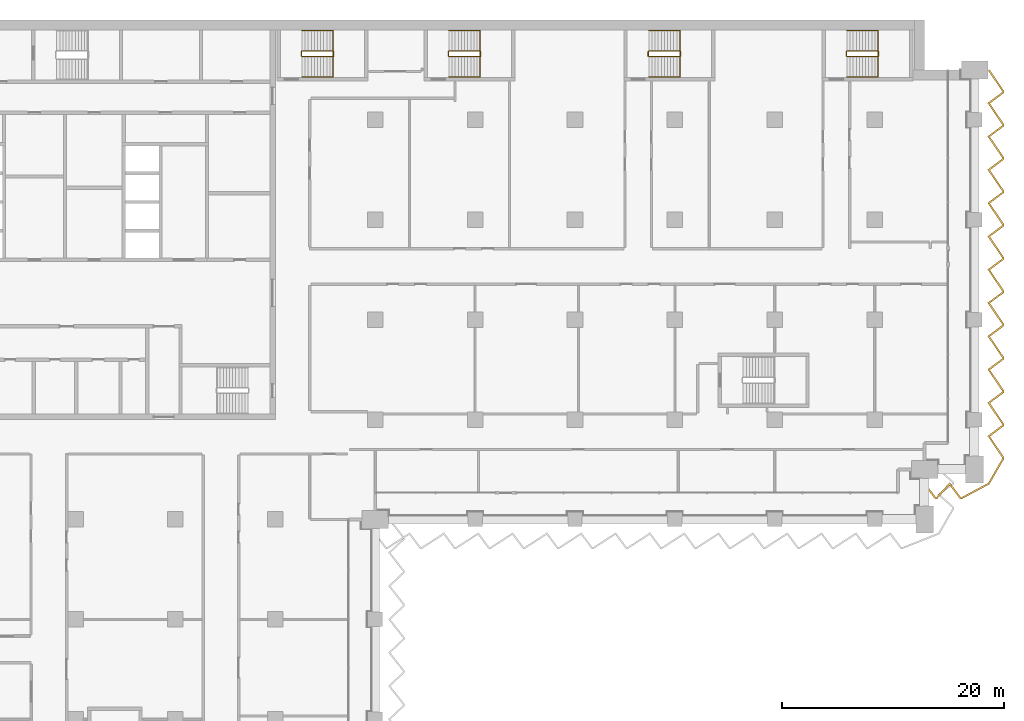
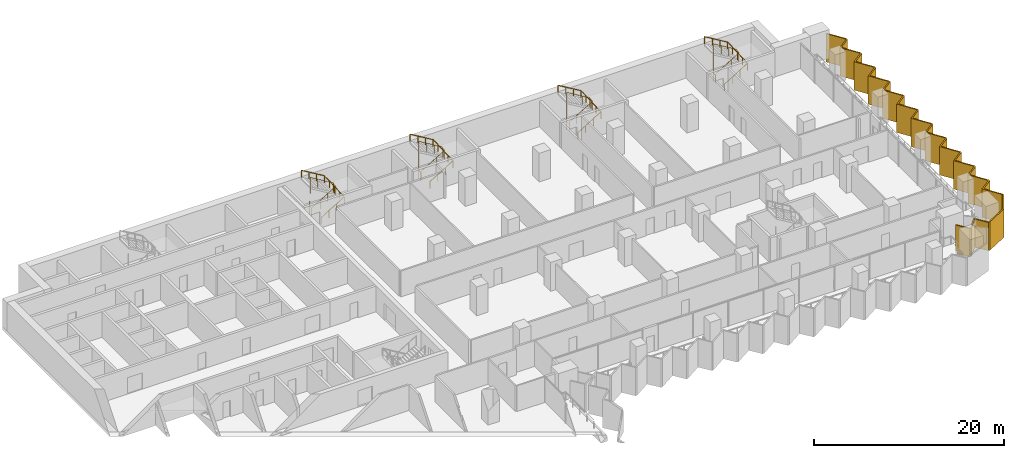
# One storey, part 28 of 29: 8 railings, 1 shading device.
"""IFC4 building model written with IfcOpenShell, lengths in metres."""

from ifc_helpers import new_model, si_unit, direction, frame, origin, origin_2d, place, context, subcontext, project, spatial, polyline, circle, outline, extrude, material, layer, layer_set, type_object, element, save


model = new_model("IFC4")

# Units and contexts
model_context = context("Model", 3, precision=1e-05, world=origin(), true_north=direction((0.0, 1.0)))
body_context = subcontext(model_context, "Body", "Model", "MODEL_VIEW")
ifc_project = project(units=[si_unit("LENGTHUNIT", "METRE"), si_unit("AREAUNIT", "SQUARE_METRE"), si_unit("VOLUMEUNIT", "CUBIC_METRE"), si_unit("PLANEANGLEUNIT", "RADIAN"), si_unit("MASSUNIT", "GRAM", prefix="KILO")], contexts=[model_context])

# Site, building, storey
site_placement = place(None, origin())
site = spatial("IfcSite", under=ifc_project, at=site_placement, CompositionType="ELEMENT")
building_placement = place(site_placement, origin())
building = spatial("IfcBuilding", under=site, at=building_placement, Name="Hunhe Ridgeline Campus", CompositionType="ELEMENT")
storey_placement = place(building_placement, frame((0.0, 0.0, 69.10009765625)))
storey = spatial("IfcBuildingStorey", under=building, at=storey_placement, Name="L16", CompositionType="ELEMENT", Elevation=69.10009765625)

# Shading device
ifc_material_1 = material(Name="Concrete C50", Category="concrete")
ifc_layer = layer(ifc_material_1, 0.14990234375)
ifc_layer_set = layer_set([ifc_layer], Name="Sawtooth concrete fin 150 Concrete C50")
shading_device_type = type_object("IfcShadingDeviceType", Name="Sawtooth concrete fin 150 Concrete C50", PredefinedType="USERDEFINED", material=ifc_layer_set)
shading_device_placement = place(storey_placement, frame((0.0, 0.0, -0.9501953125)))
element("IfcShadingDevice", 1, at=shading_device_placement, inside=storey, type_object=shading_device_type, Name="Concrete fin screen 3", ObjectType="FIN", PredefinedType="USERDEFINED", context=body_context, shape_type="SweptSolid", body=[
    extrude(outline(polyline([(94.56005859375, 57.269775390625), (94.43994140625, 57.18017578125), (95.430419921875, 55.85009765625), (95.62158203125, 55.85009765625), (96.74462890625, 57.1064453125), (97.680419921875, 55.85009765625), (97.85693359375, 55.85009765625), (100.3291015625, 57.1689453125), (101.64990234375, 59.447998046875), (101.64990234375, 59.611083984375), (100.37744140625, 61.482666015625), (101.64990234375, 62.430419921875), (101.64990234375, 62.611083984375), (100.37744140625, 64.482666015625), (101.64990234375, 65.430419921875), (101.64990234375, 65.611083984375), (100.37744140625, 67.482666015625), (101.64990234375, 68.430419921875), (101.64990234375, 68.611083984375), (100.37744140625, 70.482666015625), (101.64990234375, 71.430419921875), (101.64990234375, 71.611083984375), (100.37744140625, 73.482666015625), (101.64990234375, 74.430419921875), (101.64990234375, 74.611083984375), (100.37744140625, 76.482666015625), (101.64990234375, 77.430419921875), (101.64990234375, 77.611083984375), (100.37744140625, 79.482666015625), (101.64990234375, 80.430419921875), (101.64990234375, 80.611083984375), (100.37744140625, 82.482666015625), (101.64990234375, 83.430419921875), (101.64990234375, 83.611083984375), (100.37744140625, 85.482666015625), (101.64990234375, 86.430419921875), (101.64990234375, 86.611083984375), (100.37744140625, 88.482666015625), (101.64990234375, 89.430419921875), (101.64990234375, 89.611083984375), (100.37744140625, 91.482666015625), (101.64990234375, 92.430419921875), (101.64990234375, 92.611083984375), (100.3369140625, 94.542236328125), (100.212890625, 94.457763671875), (101.5, 92.56494140625), (101.5, 92.505859375), (100.172607421875, 91.517333984375), (101.5, 89.56494140625), (101.5, 89.505859375), (100.172607421875, 88.517333984375), (101.5, 86.56494140625), (101.5, 86.505859375), (100.172607421875, 85.517333984375), (101.5, 83.56494140625), (101.5, 83.505859375), (100.172607421875, 82.517333984375), (101.5, 80.56494140625), (101.5, 80.505859375), (100.172607421875, 79.517333984375), (101.5, 77.56494140625), (101.5, 77.505859375), (100.172607421875, 76.517333984375), (101.5, 74.56494140625), (101.5, 74.505859375), (100.172607421875, 73.517333984375), (101.5, 71.56494140625), (101.5, 71.505859375), (100.172607421875, 70.517333984375), (101.5, 68.56494140625), (101.5, 68.505859375), (100.172607421875, 67.517333984375), (101.5, 65.56494140625), (101.5, 65.505859375), (100.172607421875, 64.517333984375), (101.5, 62.56494140625), (101.5, 62.505859375), (100.172607421875, 61.517333984375), (101.5, 59.56494140625), (101.5, 59.48828125), (100.220947265625, 57.281005859375), (97.8193359375, 56.0), (97.755859375, 56.0), (96.75537109375, 57.343505859375), (95.554443359375, 56.0), (95.505859375, 56.0), (94.56005859375, 57.269775390625)])), origin(), (0.0, 0.0, 1.0), 3.650146484375),
])

# Railings
ifc_material_2 = material(Name="Stainless steel balustrade", Category="steel")
railing_type_1 = type_object("IfcRailingType", Name="Stair guard 1100 stainless", PredefinedType="GUARDRAIL", material=ifc_material_2)
railing_1_placement = place(storey_placement, frame((38.39990234375, 95.699951171875, 0.16796875)))
element("IfcRailing", 2, at=railing_1_placement, inside=storey, type_object=railing_type_1, Name="L16 stair E1 guard", PredefinedType="GUARDRAIL", context=body_context, shape_type="SweptSolid", body=[
    extrude(circle(Radius=0.02392578125, at=origin_2d()), frame((0.0, 0.0, 1.076171875), z_axis=(0.857242210791, 0.0, 0.514913383045), x_axis=(0.0, 1.0, 0.0)), (0.0, 0.0, 1.0), 3.266357421875),
    extrude(circle(Radius=0.02392578125, at=origin_2d()), frame((2.800048828125, 0.0, 2.7578125), z_axis=(0.707106781187, 0.707106781187, 0.0), x_axis=(-0.707106781187, 0.707106781187, 0.0)), (0.0, 0.0, 1.0), 0.07080078125),
    extrude(circle(Radius=0.02392578125, at=origin_2d()), frame((2.85009765625, 0.050048828125, 2.7578125), z_axis=(0.0, 1.0, 0.0), x_axis=(-1.0, 0.0, 0.0)), (0.0, 0.0, 1.0), 0.39990234375),
    extrude(circle(Radius=0.02392578125, at=origin_2d()), frame((2.85009765625, 0.449951171875, 2.7578125), z_axis=(-0.274243871929, 0.274243871929, 0.92172696468), x_axis=(-0.707106781187, -0.707106781187, 0.0)), (0.0, 0.0, 1.0), 0.1826171875),
    extrude(circle(Radius=0.02392578125, at=origin_2d()), frame((2.800048828125, 0.5, 2.92626953125), z_axis=(-0.857242210791, 0.0, 0.514913383045), x_axis=(0.0, -1.0, 0.0)), (0.0, 0.0, 1.0), 3.266357421875),
    extrude(circle(Radius=0.02392578125, at=origin_2d()), frame((0.0, 0.5, 4.60791015625), z_axis=(-0.013458453615, -0.013524426427, -0.999817963389), x_axis=(0.708833529934, -0.705375805398, 0.0)), (0.0, 0.0, 1.0), 3.70068359375),
    extrude(circle(Radius=0.02392578125, at=origin_2d()), frame((-0.0498046875, 0.449951171875, 0.908203125), z_axis=(0.0, -1.0, 0.0), x_axis=(1.0, 0.0, 0.0)), (0.0, 0.0, 1.0), 0.39990234375),
    extrude(circle(Radius=0.02099609375, at=origin_2d()), origin(), (0.0, 0.0, 1.0), 1.052001953125),
    extrude(circle(Radius=0.02099609375, at=origin_2d()), frame((0.933349609375, 0.0, 0.560546875)), (0.0, 0.0, 1.0), 1.052001953125),
    extrude(circle(Radius=0.02099609375, at=origin_2d()), frame((1.86669921875, 0.0, 1.121337890625)), (0.0, 0.0, 1.0), 1.052001953125),
    extrude(circle(Radius=0.02099609375, at=origin_2d()), frame((2.800048828125, 0.0, 1.681884765625)), (0.0, 0.0, 1.0), 1.052001953125),
    extrude(circle(Radius=0.02099609375, at=origin_2d()), frame((2.85009765625, 0.050048828125, 1.681884765625)), (0.0, 0.0, 1.0), 1.052001953125),
    extrude(circle(Radius=0.02099609375, at=origin_2d()), frame((2.85009765625, 0.449951171875, 1.681884765625)), (0.0, 0.0, 1.0), 1.052001953125),
    extrude(circle(Radius=0.02099609375, at=origin_2d()), frame((2.800048828125, 0.5, 1.85009765625)), (0.0, 0.0, 1.0), 1.052001953125),
    extrude(circle(Radius=0.02099609375, at=origin_2d()), frame((1.86669921875, 0.5, 2.41064453125)), (0.0, 0.0, 1.0), 1.052001953125),
    extrude(circle(Radius=0.02099609375, at=origin_2d()), frame((0.933349609375, 0.5, 2.971435546875)), (0.0, 0.0, 1.0), 1.052001953125),
    extrude(circle(Radius=0.02099609375, at=origin_2d()), frame((0.0, 0.5, 3.531982421875)), (0.0, 0.0, 1.0), 1.052001953125),
    extrude(circle(Radius=0.02099609375, at=origin_2d()), frame((-0.012451171875, 0.487548828125, 2.60693359375)), (0.0, 0.0, 1.0), 1.052001953125),
    extrude(circle(Radius=0.02099609375, at=origin_2d()), frame((-0.02490234375, 0.47509765625, 1.68212890625)), (0.0, 0.0, 1.0), 1.052001953125),
    extrude(circle(Radius=0.02099609375, at=origin_2d()), frame((-0.037353515625, 0.46240234375, 0.757080078125)), (0.0, 0.0, 1.0), 1.052001953125),
    extrude(circle(Radius=0.02099609375, at=origin_2d()), frame((-0.0498046875, 0.449951171875, -0.16796875)), (0.0, 0.0, 1.0), 1.052001953125),
    extrude(circle(Radius=0.02099609375, at=origin_2d()), frame((-0.0498046875, 0.050048828125, -0.16796875)), (0.0, 0.0, 1.0), 1.052001953125),
])
railing_2_placement = place(storey_placement, frame((51.64990234375, 95.699951171875, 0.16796875)))
element("IfcRailing", 3, at=railing_2_placement, inside=storey, type_object=railing_type_1, Name="L16 stair E2 guard", PredefinedType="GUARDRAIL", context=body_context, shape_type="SweptSolid", body=[
    extrude(circle(Radius=0.02392578125, at=origin_2d()), frame((0.0, 0.0, 1.076171875), z_axis=(0.857242210791, 0.0, 0.514913383045), x_axis=(0.0, 1.0, 0.0)), (0.0, 0.0, 1.0), 3.266357421875),
    extrude(circle(Radius=0.02392578125, at=origin_2d()), frame((2.800048828125, 0.0, 2.7578125), z_axis=(0.707106781187, 0.707106781187, 0.0), x_axis=(-0.707106781187, 0.707106781187, 0.0)), (0.0, 0.0, 1.0), 0.07080078125),
    extrude(circle(Radius=0.02392578125, at=origin_2d()), frame((2.85009765625, 0.050048828125, 2.7578125), z_axis=(0.0, 1.0, 0.0), x_axis=(-1.0, 0.0, 0.0)), (0.0, 0.0, 1.0), 0.39990234375),
    extrude(circle(Radius=0.02392578125, at=origin_2d()), frame((2.85009765625, 0.449951171875, 2.7578125), z_axis=(-0.274243871929, 0.274243871929, 0.92172696468), x_axis=(-0.707106781187, -0.707106781187, 0.0)), (0.0, 0.0, 1.0), 0.1826171875),
    extrude(circle(Radius=0.02392578125, at=origin_2d()), frame((2.800048828125, 0.5, 2.92626953125), z_axis=(-0.857242210791, 0.0, 0.514913383045), x_axis=(0.0, -1.0, 0.0)), (0.0, 0.0, 1.0), 3.266357421875),
    extrude(circle(Radius=0.02392578125, at=origin_2d()), frame((0.0, 0.5, 4.60791015625), z_axis=(-0.013458453615, -0.013524426427, -0.999817963389), x_axis=(0.708833529934, -0.705375805398, 0.0)), (0.0, 0.0, 1.0), 3.70068359375),
    extrude(circle(Radius=0.02392578125, at=origin_2d()), frame((-0.0498046875, 0.449951171875, 0.908203125), z_axis=(0.0, -1.0, 0.0), x_axis=(1.0, 0.0, 0.0)), (0.0, 0.0, 1.0), 0.39990234375),
    extrude(circle(Radius=0.02099609375, at=origin_2d()), origin(), (0.0, 0.0, 1.0), 1.052001953125),
    extrude(circle(Radius=0.02099609375, at=origin_2d()), frame((0.933349609375, 0.0, 0.560546875)), (0.0, 0.0, 1.0), 1.052001953125),
    extrude(circle(Radius=0.02099609375, at=origin_2d()), frame((1.86669921875, 0.0, 1.121337890625)), (0.0, 0.0, 1.0), 1.052001953125),
    extrude(circle(Radius=0.02099609375, at=origin_2d()), frame((2.800048828125, 0.0, 1.681884765625)), (0.0, 0.0, 1.0), 1.052001953125),
    extrude(circle(Radius=0.02099609375, at=origin_2d()), frame((2.85009765625, 0.050048828125, 1.681884765625)), (0.0, 0.0, 1.0), 1.052001953125),
    extrude(circle(Radius=0.02099609375, at=origin_2d()), frame((2.85009765625, 0.449951171875, 1.681884765625)), (0.0, 0.0, 1.0), 1.052001953125),
    extrude(circle(Radius=0.02099609375, at=origin_2d()), frame((2.800048828125, 0.5, 1.85009765625)), (0.0, 0.0, 1.0), 1.052001953125),
    extrude(circle(Radius=0.02099609375, at=origin_2d()), frame((1.86669921875, 0.5, 2.41064453125)), (0.0, 0.0, 1.0), 1.052001953125),
    extrude(circle(Radius=0.02099609375, at=origin_2d()), frame((0.933349609375, 0.5, 2.971435546875)), (0.0, 0.0, 1.0), 1.052001953125),
    extrude(circle(Radius=0.02099609375, at=origin_2d()), frame((0.0, 0.5, 3.531982421875)), (0.0, 0.0, 1.0), 1.052001953125),
    extrude(circle(Radius=0.02099609375, at=origin_2d()), frame((-0.012451171875, 0.487548828125, 2.60693359375)), (0.0, 0.0, 1.0), 1.052001953125),
    extrude(circle(Radius=0.02099609375, at=origin_2d()), frame((-0.02490234375, 0.47509765625, 1.68212890625)), (0.0, 0.0, 1.0), 1.052001953125),
    extrude(circle(Radius=0.02099609375, at=origin_2d()), frame((-0.037353515625, 0.46240234375, 0.757080078125)), (0.0, 0.0, 1.0), 1.052001953125),
    extrude(circle(Radius=0.02099609375, at=origin_2d()), frame((-0.0498046875, 0.449951171875, -0.16796875)), (0.0, 0.0, 1.0), 1.052001953125),
    extrude(circle(Radius=0.02099609375, at=origin_2d()), frame((-0.0498046875, 0.050048828125, -0.16796875)), (0.0, 0.0, 1.0), 1.052001953125),
])
railing_3_placement = place(storey_placement, frame((69.64990234375, 95.699951171875, 0.16796875)))
element("IfcRailing", 4, at=railing_3_placement, inside=storey, type_object=railing_type_1, Name="L16 stair E3 guard", PredefinedType="GUARDRAIL", context=body_context, shape_type="SweptSolid", body=[
    extrude(circle(Radius=0.02392578125, at=origin_2d()), frame((0.0, 0.0, 1.076171875), z_axis=(0.857242210791, 0.0, 0.514913383045), x_axis=(0.0, 1.0, 0.0)), (0.0, 0.0, 1.0), 3.266357421875),
    extrude(circle(Radius=0.02392578125, at=origin_2d()), frame((2.800048828125, 0.0, 2.7578125), z_axis=(0.707106781187, 0.707106781187, 0.0), x_axis=(-0.707106781187, 0.707106781187, 0.0)), (0.0, 0.0, 1.0), 0.07080078125),
    extrude(circle(Radius=0.02392578125, at=origin_2d()), frame((2.85009765625, 0.050048828125, 2.7578125), z_axis=(0.0, 1.0, 0.0), x_axis=(-1.0, 0.0, 0.0)), (0.0, 0.0, 1.0), 0.39990234375),
    extrude(circle(Radius=0.02392578125, at=origin_2d()), frame((2.85009765625, 0.449951171875, 2.7578125), z_axis=(-0.274243871929, 0.274243871929, 0.92172696468), x_axis=(-0.707106781187, -0.707106781187, 0.0)), (0.0, 0.0, 1.0), 0.1826171875),
    extrude(circle(Radius=0.02392578125, at=origin_2d()), frame((2.800048828125, 0.5, 2.92626953125), z_axis=(-0.857242210791, 0.0, 0.514913383045), x_axis=(0.0, -1.0, 0.0)), (0.0, 0.0, 1.0), 3.266357421875),
    extrude(circle(Radius=0.02392578125, at=origin_2d()), frame((0.0, 0.5, 4.60791015625), z_axis=(-0.013458453615, -0.013524426427, -0.999817963389), x_axis=(0.708833529934, -0.705375805398, 0.0)), (0.0, 0.0, 1.0), 3.70068359375),
    extrude(circle(Radius=0.02392578125, at=origin_2d()), frame((-0.0498046875, 0.449951171875, 0.908203125), z_axis=(0.0, -1.0, 0.0), x_axis=(1.0, 0.0, 0.0)), (0.0, 0.0, 1.0), 0.39990234375),
    extrude(circle(Radius=0.02099609375, at=origin_2d()), origin(), (0.0, 0.0, 1.0), 1.052001953125),
    extrude(circle(Radius=0.02099609375, at=origin_2d()), frame((0.933349609375, 0.0, 0.560546875)), (0.0, 0.0, 1.0), 1.052001953125),
    extrude(circle(Radius=0.02099609375, at=origin_2d()), frame((1.86669921875, 0.0, 1.121337890625)), (0.0, 0.0, 1.0), 1.052001953125),
    extrude(circle(Radius=0.02099609375, at=origin_2d()), frame((2.800048828125, 0.0, 1.681884765625)), (0.0, 0.0, 1.0), 1.052001953125),
    extrude(circle(Radius=0.02099609375, at=origin_2d()), frame((2.85009765625, 0.050048828125, 1.681884765625)), (0.0, 0.0, 1.0), 1.052001953125),
    extrude(circle(Radius=0.02099609375, at=origin_2d()), frame((2.85009765625, 0.449951171875, 1.681884765625)), (0.0, 0.0, 1.0), 1.052001953125),
    extrude(circle(Radius=0.02099609375, at=origin_2d()), frame((2.800048828125, 0.5, 1.85009765625)), (0.0, 0.0, 1.0), 1.052001953125),
    extrude(circle(Radius=0.02099609375, at=origin_2d()), frame((1.86669921875, 0.5, 2.41064453125)), (0.0, 0.0, 1.0), 1.052001953125),
    extrude(circle(Radius=0.02099609375, at=origin_2d()), frame((0.933349609375, 0.5, 2.971435546875)), (0.0, 0.0, 1.0), 1.052001953125),
    extrude(circle(Radius=0.02099609375, at=origin_2d()), frame((0.0, 0.5, 3.531982421875)), (0.0, 0.0, 1.0), 1.052001953125),
    extrude(circle(Radius=0.02099609375, at=origin_2d()), frame((-0.012451171875, 0.487548828125, 2.60693359375)), (0.0, 0.0, 1.0), 1.052001953125),
    extrude(circle(Radius=0.02099609375, at=origin_2d()), frame((-0.02490234375, 0.47509765625, 1.68212890625)), (0.0, 0.0, 1.0), 1.052001953125),
    extrude(circle(Radius=0.02099609375, at=origin_2d()), frame((-0.037353515625, 0.46240234375, 0.757080078125)), (0.0, 0.0, 1.0), 1.052001953125),
    extrude(circle(Radius=0.02099609375, at=origin_2d()), frame((-0.0498046875, 0.449951171875, -0.16796875)), (0.0, 0.0, 1.0), 1.052001953125),
    extrude(circle(Radius=0.02099609375, at=origin_2d()), frame((-0.0498046875, 0.050048828125, -0.16796875)), (0.0, 0.0, 1.0), 1.052001953125),
])
railing_4_placement = place(storey_placement, frame((87.5, 95.699951171875, 0.16796875)))
element("IfcRailing", 5, at=railing_4_placement, inside=storey, type_object=railing_type_1, Name="L16 stair E4 guard", PredefinedType="GUARDRAIL", context=body_context, shape_type="SweptSolid", body=[
    extrude(circle(Radius=0.02392578125, at=origin_2d()), frame((0.0, 0.0, 1.076171875), z_axis=(0.857242210791, 0.0, 0.514913383045), x_axis=(0.0, 1.0, 0.0)), (0.0, 0.0, 1.0), 3.266357421875),
    extrude(circle(Radius=0.02392578125, at=origin_2d()), frame((2.800048828125, 0.0, 2.7578125), z_axis=(0.707106781187, 0.707106781187, 0.0), x_axis=(-0.707106781187, 0.707106781187, 0.0)), (0.0, 0.0, 1.0), 0.07080078125),
    extrude(circle(Radius=0.02392578125, at=origin_2d()), frame((2.85009765625, 0.050048828125, 2.7578125), z_axis=(0.0, 1.0, 0.0), x_axis=(-1.0, 0.0, 0.0)), (0.0, 0.0, 1.0), 0.39990234375),
    extrude(circle(Radius=0.02392578125, at=origin_2d()), frame((2.85009765625, 0.449951171875, 2.7578125), z_axis=(-0.274243871929, 0.274243871929, 0.92172696468), x_axis=(-0.707106781187, -0.707106781187, 0.0)), (0.0, 0.0, 1.0), 0.1826171875),
    extrude(circle(Radius=0.02392578125, at=origin_2d()), frame((2.800048828125, 0.5, 2.92626953125), z_axis=(-0.857242210791, 0.0, 0.514913383045), x_axis=(0.0, -1.0, 0.0)), (0.0, 0.0, 1.0), 3.266357421875),
    extrude(circle(Radius=0.02392578125, at=origin_2d()), frame((0.0, 0.5, 4.60791015625), z_axis=(-0.013524414389, -0.013524414389, -0.999817073484), x_axis=(0.707106781187, -0.707106781187, 0.0)), (0.0, 0.0, 1.0), 3.70068359375),
    extrude(circle(Radius=0.02392578125, at=origin_2d()), frame((-0.050048828125, 0.449951171875, 0.908203125), z_axis=(0.0, -1.0, 0.0), x_axis=(1.0, 0.0, 0.0)), (0.0, 0.0, 1.0), 0.39990234375),
    extrude(circle(Radius=0.02099609375, at=origin_2d()), origin(), (0.0, 0.0, 1.0), 1.052001953125),
    extrude(circle(Radius=0.02099609375, at=origin_2d()), frame((0.933349609375, 0.0, 0.560546875)), (0.0, 0.0, 1.0), 1.052001953125),
    extrude(circle(Radius=0.02099609375, at=origin_2d()), frame((1.86669921875, 0.0, 1.121337890625)), (0.0, 0.0, 1.0), 1.052001953125),
    extrude(circle(Radius=0.02099609375, at=origin_2d()), frame((2.800048828125, 0.0, 1.681884765625)), (0.0, 0.0, 1.0), 1.052001953125),
    extrude(circle(Radius=0.02099609375, at=origin_2d()), frame((2.85009765625, 0.050048828125, 1.681884765625)), (0.0, 0.0, 1.0), 1.052001953125),
    extrude(circle(Radius=0.02099609375, at=origin_2d()), frame((2.85009765625, 0.449951171875, 1.681884765625)), (0.0, 0.0, 1.0), 1.052001953125),
    extrude(circle(Radius=0.02099609375, at=origin_2d()), frame((2.800048828125, 0.5, 1.85009765625)), (0.0, 0.0, 1.0), 1.052001953125),
    extrude(circle(Radius=0.02099609375, at=origin_2d()), frame((1.86669921875, 0.5, 2.41064453125)), (0.0, 0.0, 1.0), 1.052001953125),
    extrude(circle(Radius=0.02099609375, at=origin_2d()), frame((0.933349609375, 0.5, 2.971435546875)), (0.0, 0.0, 1.0), 1.052001953125),
    extrude(circle(Radius=0.02099609375, at=origin_2d()), frame((0.0, 0.5, 3.531982421875)), (0.0, 0.0, 1.0), 1.052001953125),
    extrude(circle(Radius=0.02099609375, at=origin_2d()), frame((-0.012451171875, 0.487548828125, 2.60693359375)), (0.0, 0.0, 1.0), 1.052001953125),
    extrude(circle(Radius=0.02099609375, at=origin_2d()), frame((-0.02490234375, 0.47509765625, 1.68212890625)), (0.0, 0.0, 1.0), 1.052001953125),
    extrude(circle(Radius=0.02099609375, at=origin_2d()), frame((-0.03759765625, 0.46240234375, 0.757080078125)), (0.0, 0.0, 1.0), 1.052001953125),
    extrude(circle(Radius=0.02099609375, at=origin_2d()), frame((-0.050048828125, 0.449951171875, -0.16796875)), (0.0, 0.0, 1.0), 1.052001953125),
    extrude(circle(Radius=0.02099609375, at=origin_2d()), frame((-0.050048828125, 0.050048828125, -0.16796875)), (0.0, 0.0, 1.0), 1.052001953125),
])
ifc_material_3 = material(Name="Stainless steel handrail", Category="steel")
railing_type_2 = type_object("IfcRailingType", Name="Stair handrail 900 stainless", PredefinedType="HANDRAIL", material=ifc_material_3)
railing_5_placement = place(storey_placement, frame((38.39990234375, 93.85009765625, 0.16796875)))
element("IfcRailing", 6, at=railing_5_placement, inside=storey, type_object=railing_type_2, Name="L16 stair E1 handrail", PredefinedType="HANDRAIL", context=body_context, shape_type="SweptSolid", body=[
    extrude(circle(Radius=0.02392578125, at=origin_2d()), frame((0.0, 0.0, 0.8759765625), z_axis=(0.857242210791, 0.0, 0.514913383045), x_axis=(0.0, 1.0, 0.0)), (0.0, 0.0, 1.0), 3.266357421875),
    extrude(circle(Radius=0.02392578125, at=origin_2d()), frame((2.800048828125, 0.0, 2.5576171875), z_axis=(0.0, 0.999198916169, 0.040019069537), x_axis=(-1.0, 0.0, 0.0)), (0.0, 0.0, 1.0), 4.203369140625),
    extrude(circle(Radius=0.02392578125, at=origin_2d()), frame((2.800048828125, 4.199951171875, 2.72607421875), z_axis=(-0.857242210791, 0.0, 0.514913383045), x_axis=(0.0, -1.0, 0.0)), (0.0, 0.0, 1.0), 3.266357421875),
    extrude(circle(Radius=0.02099609375, at=origin_2d()), origin(), (0.0, 0.0, 1.0), 0.851806640625),
    extrude(circle(Radius=0.02099609375, at=origin_2d()), frame((0.933349609375, 0.0, 0.560546875)), (0.0, 0.0, 1.0), 0.851806640625),
    extrude(circle(Radius=0.02099609375, at=origin_2d()), frame((1.86669921875, 0.0, 1.121337890625)), (0.0, 0.0, 1.0), 0.851806640625),
    extrude(circle(Radius=0.02099609375, at=origin_2d()), frame((2.800048828125, 0.0, 1.681884765625)), (0.0, 0.0, 1.0), 0.851806640625),
    extrude(circle(Radius=0.02099609375, at=origin_2d()), frame((2.800048828125, 1.050048828125, 1.723876953125)), (0.0, 0.0, 1.0), 0.851806640625),
    extrude(circle(Radius=0.02099609375, at=origin_2d()), frame((2.800048828125, 2.10009765625, 1.76611328125)), (0.0, 0.0, 1.0), 0.851806640625),
    extrude(circle(Radius=0.02099609375, at=origin_2d()), frame((2.800048828125, 3.14990234375, 1.80810546875)), (0.0, 0.0, 1.0), 0.851806640625),
    extrude(circle(Radius=0.02099609375, at=origin_2d()), frame((2.800048828125, 4.199951171875, 1.85009765625)), (0.0, 0.0, 1.0), 0.851806640625),
    extrude(circle(Radius=0.02099609375, at=origin_2d()), frame((1.86669921875, 4.199951171875, 2.41064453125)), (0.0, 0.0, 1.0), 0.851806640625),
    extrude(circle(Radius=0.02099609375, at=origin_2d()), frame((0.933349609375, 4.199951171875, 2.971435546875)), (0.0, 0.0, 1.0), 0.851806640625),
    extrude(circle(Radius=0.02099609375, at=origin_2d()), frame((0.0, 4.199951171875, 3.531982421875)), (0.0, 0.0, 1.0), 0.851806640625),
])
railing_6_placement = place(storey_placement, frame((51.64990234375, 93.85009765625, 0.16796875)))
element("IfcRailing", 7, at=railing_6_placement, inside=storey, type_object=railing_type_2, Name="L16 stair E2 handrail", PredefinedType="HANDRAIL", context=body_context, shape_type="SweptSolid", body=[
    extrude(circle(Radius=0.02392578125, at=origin_2d()), frame((0.0, 0.0, 0.8759765625), z_axis=(0.857242210791, 0.0, 0.514913383045), x_axis=(0.0, 1.0, 0.0)), (0.0, 0.0, 1.0), 3.266357421875),
    extrude(circle(Radius=0.02392578125, at=origin_2d()), frame((2.800048828125, 0.0, 2.5576171875), z_axis=(0.0, 0.999198916169, 0.040019069537), x_axis=(-1.0, 0.0, 0.0)), (0.0, 0.0, 1.0), 4.203369140625),
    extrude(circle(Radius=0.02392578125, at=origin_2d()), frame((2.800048828125, 4.199951171875, 2.72607421875), z_axis=(-0.857242210791, 0.0, 0.514913383045), x_axis=(0.0, -1.0, 0.0)), (0.0, 0.0, 1.0), 3.266357421875),
    extrude(circle(Radius=0.02099609375, at=origin_2d()), origin(), (0.0, 0.0, 1.0), 0.851806640625),
    extrude(circle(Radius=0.02099609375, at=origin_2d()), frame((0.933349609375, 0.0, 0.560546875)), (0.0, 0.0, 1.0), 0.851806640625),
    extrude(circle(Radius=0.02099609375, at=origin_2d()), frame((1.86669921875, 0.0, 1.121337890625)), (0.0, 0.0, 1.0), 0.851806640625),
    extrude(circle(Radius=0.02099609375, at=origin_2d()), frame((2.800048828125, 0.0, 1.681884765625)), (0.0, 0.0, 1.0), 0.851806640625),
    extrude(circle(Radius=0.02099609375, at=origin_2d()), frame((2.800048828125, 1.050048828125, 1.723876953125)), (0.0, 0.0, 1.0), 0.851806640625),
    extrude(circle(Radius=0.02099609375, at=origin_2d()), frame((2.800048828125, 2.10009765625, 1.76611328125)), (0.0, 0.0, 1.0), 0.851806640625),
    extrude(circle(Radius=0.02099609375, at=origin_2d()), frame((2.800048828125, 3.14990234375, 1.80810546875)), (0.0, 0.0, 1.0), 0.851806640625),
    extrude(circle(Radius=0.02099609375, at=origin_2d()), frame((2.800048828125, 4.199951171875, 1.85009765625)), (0.0, 0.0, 1.0), 0.851806640625),
    extrude(circle(Radius=0.02099609375, at=origin_2d()), frame((1.86669921875, 4.199951171875, 2.41064453125)), (0.0, 0.0, 1.0), 0.851806640625),
    extrude(circle(Radius=0.02099609375, at=origin_2d()), frame((0.933349609375, 4.199951171875, 2.971435546875)), (0.0, 0.0, 1.0), 0.851806640625),
    extrude(circle(Radius=0.02099609375, at=origin_2d()), frame((0.0, 4.199951171875, 3.531982421875)), (0.0, 0.0, 1.0), 0.851806640625),
])
railing_7_placement = place(storey_placement, frame((69.64990234375, 93.85009765625, 0.16796875)))
element("IfcRailing", 8, at=railing_7_placement, inside=storey, type_object=railing_type_2, Name="L16 stair E3 handrail", PredefinedType="HANDRAIL", context=body_context, shape_type="SweptSolid", body=[
    extrude(circle(Radius=0.02392578125, at=origin_2d()), frame((0.0, 0.0, 0.8759765625), z_axis=(0.857242210791, 0.0, 0.514913383045), x_axis=(0.0, 1.0, 0.0)), (0.0, 0.0, 1.0), 3.266357421875),
    extrude(circle(Radius=0.02392578125, at=origin_2d()), frame((2.800048828125, 0.0, 2.5576171875), z_axis=(0.0, 0.999198916169, 0.040019069537), x_axis=(-1.0, 0.0, 0.0)), (0.0, 0.0, 1.0), 4.203369140625),
    extrude(circle(Radius=0.02392578125, at=origin_2d()), frame((2.800048828125, 4.199951171875, 2.72607421875), z_axis=(-0.857242210791, 0.0, 0.514913383045), x_axis=(0.0, -1.0, 0.0)), (0.0, 0.0, 1.0), 3.266357421875),
    extrude(circle(Radius=0.02099609375, at=origin_2d()), origin(), (0.0, 0.0, 1.0), 0.851806640625),
    extrude(circle(Radius=0.02099609375, at=origin_2d()), frame((0.933349609375, 0.0, 0.560546875)), (0.0, 0.0, 1.0), 0.851806640625),
    extrude(circle(Radius=0.02099609375, at=origin_2d()), frame((1.86669921875, 0.0, 1.121337890625)), (0.0, 0.0, 1.0), 0.851806640625),
    extrude(circle(Radius=0.02099609375, at=origin_2d()), frame((2.800048828125, 0.0, 1.681884765625)), (0.0, 0.0, 1.0), 0.851806640625),
    extrude(circle(Radius=0.02099609375, at=origin_2d()), frame((2.800048828125, 1.050048828125, 1.723876953125)), (0.0, 0.0, 1.0), 0.851806640625),
    extrude(circle(Radius=0.02099609375, at=origin_2d()), frame((2.800048828125, 2.10009765625, 1.76611328125)), (0.0, 0.0, 1.0), 0.851806640625),
    extrude(circle(Radius=0.02099609375, at=origin_2d()), frame((2.800048828125, 3.14990234375, 1.80810546875)), (0.0, 0.0, 1.0), 0.851806640625),
    extrude(circle(Radius=0.02099609375, at=origin_2d()), frame((2.800048828125, 4.199951171875, 1.85009765625)), (0.0, 0.0, 1.0), 0.851806640625),
    extrude(circle(Radius=0.02099609375, at=origin_2d()), frame((1.86669921875, 4.199951171875, 2.41064453125)), (0.0, 0.0, 1.0), 0.851806640625),
    extrude(circle(Radius=0.02099609375, at=origin_2d()), frame((0.933349609375, 4.199951171875, 2.971435546875)), (0.0, 0.0, 1.0), 0.851806640625),
    extrude(circle(Radius=0.02099609375, at=origin_2d()), frame((0.0, 4.199951171875, 3.531982421875)), (0.0, 0.0, 1.0), 0.851806640625),
])
railing_8_placement = place(storey_placement, frame((87.5, 93.85009765625, 0.16796875)))
element("IfcRailing", 9, at=railing_8_placement, inside=storey, type_object=railing_type_2, Name="L16 stair E4 handrail", PredefinedType="HANDRAIL", context=body_context, shape_type="SweptSolid", body=[
    extrude(circle(Radius=0.02392578125, at=origin_2d()), frame((0.0, 0.0, 0.8759765625), z_axis=(0.857242210791, 0.0, 0.514913383045), x_axis=(0.0, 1.0, 0.0)), (0.0, 0.0, 1.0), 3.266357421875),
    extrude(circle(Radius=0.02392578125, at=origin_2d()), frame((2.800048828125, 0.0, 2.5576171875), z_axis=(0.0, 0.999198916169, 0.040019069537), x_axis=(-1.0, 0.0, 0.0)), (0.0, 0.0, 1.0), 4.203369140625),
    extrude(circle(Radius=0.02392578125, at=origin_2d()), frame((2.800048828125, 4.199951171875, 2.72607421875), z_axis=(-0.857242210791, 0.0, 0.514913383045), x_axis=(0.0, -1.0, 0.0)), (0.0, 0.0, 1.0), 3.266357421875),
    extrude(circle(Radius=0.02099609375, at=origin_2d()), origin(), (0.0, 0.0, 1.0), 0.851806640625),
    extrude(circle(Radius=0.02099609375, at=origin_2d()), frame((0.933349609375, 0.0, 0.560546875)), (0.0, 0.0, 1.0), 0.851806640625),
    extrude(circle(Radius=0.02099609375, at=origin_2d()), frame((1.86669921875, 0.0, 1.121337890625)), (0.0, 0.0, 1.0), 0.851806640625),
    extrude(circle(Radius=0.02099609375, at=origin_2d()), frame((2.800048828125, 0.0, 1.681884765625)), (0.0, 0.0, 1.0), 0.851806640625),
    extrude(circle(Radius=0.02099609375, at=origin_2d()), frame((2.800048828125, 1.050048828125, 1.723876953125)), (0.0, 0.0, 1.0), 0.851806640625),
    extrude(circle(Radius=0.02099609375, at=origin_2d()), frame((2.800048828125, 2.10009765625, 1.76611328125)), (0.0, 0.0, 1.0), 0.851806640625),
    extrude(circle(Radius=0.02099609375, at=origin_2d()), frame((2.800048828125, 3.14990234375, 1.80810546875)), (0.0, 0.0, 1.0), 0.851806640625),
    extrude(circle(Radius=0.02099609375, at=origin_2d()), frame((2.800048828125, 4.199951171875, 1.85009765625)), (0.0, 0.0, 1.0), 0.851806640625),
    extrude(circle(Radius=0.02099609375, at=origin_2d()), frame((1.86669921875, 4.199951171875, 2.41064453125)), (0.0, 0.0, 1.0), 0.851806640625),
    extrude(circle(Radius=0.02099609375, at=origin_2d()), frame((0.933349609375, 4.199951171875, 2.971435546875)), (0.0, 0.0, 1.0), 0.851806640625),
    extrude(circle(Radius=0.02099609375, at=origin_2d()), frame((0.0, 4.199951171875, 3.531982421875)), (0.0, 0.0, 1.0), 0.851806640625),
])

save(model, "model.ifc")
